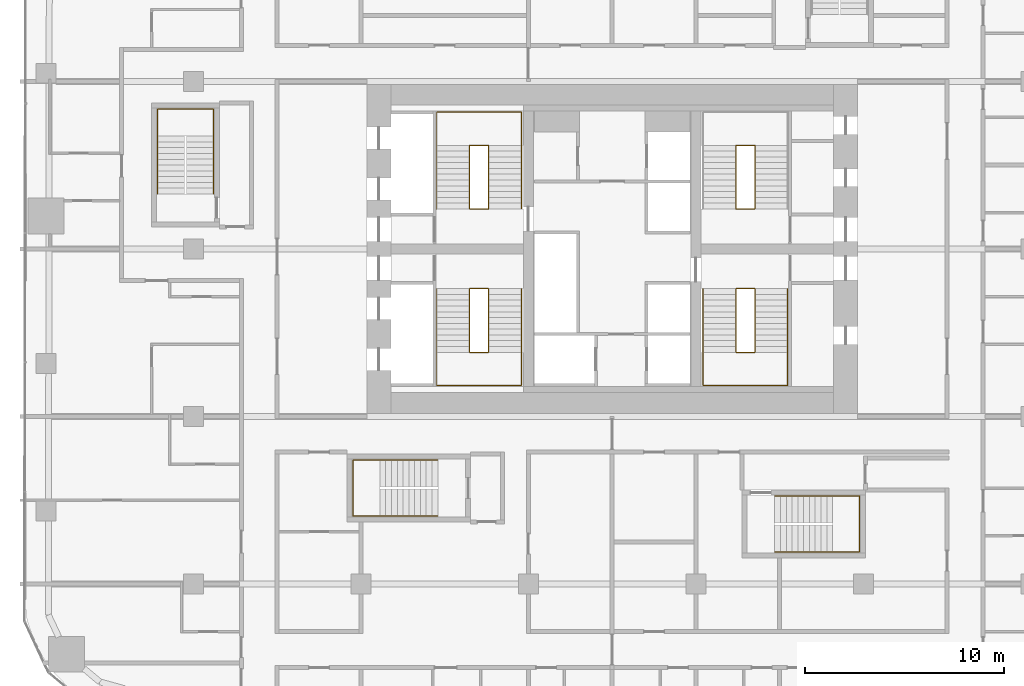
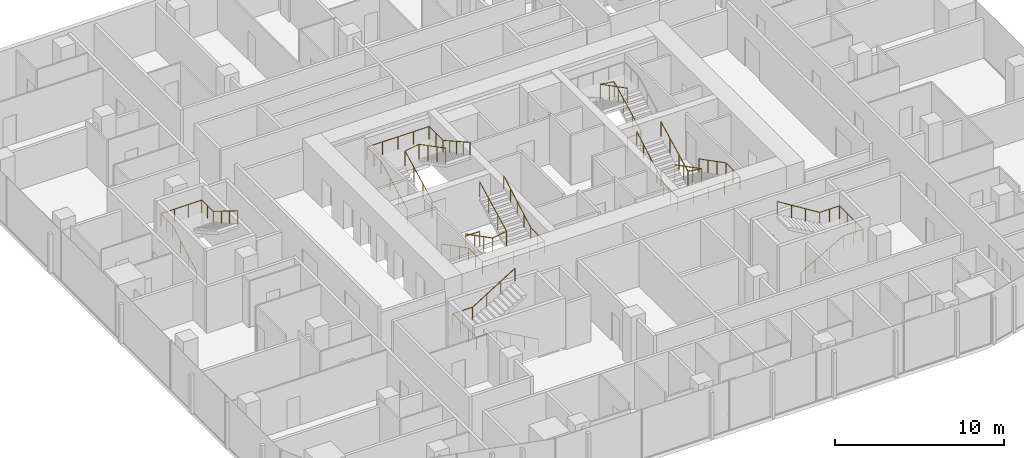
# One storey, part 25 of 26: 10 railings.
"""IFC4 building model written with IfcOpenShell, lengths in metres."""

from ifc_helpers import new_model, si_unit, direction, frame, origin, origin_2d, place, context, subcontext, project, spatial, circle, extrude, material, type_object, element, save


model = new_model("IFC4")

# Units and contexts
model_context = context("Model", 3, precision=1e-05, world=origin(), true_north=direction((0.0, 1.0)))
body_context = subcontext(model_context, "Body", "Model", "MODEL_VIEW")
ifc_project = project(units=[si_unit("LENGTHUNIT", "METRE"), si_unit("AREAUNIT", "SQUARE_METRE"), si_unit("VOLUMEUNIT", "CUBIC_METRE"), si_unit("PLANEANGLEUNIT", "RADIAN"), si_unit("MASSUNIT", "GRAM", prefix="KILO")], contexts=[model_context])

# Site, building, storey
site_placement = place(None, origin())
site = spatial("IfcSite", under=ifc_project, at=site_placement, CompositionType="ELEMENT")
building_placement = place(site_placement, origin())
building = spatial("IfcBuilding", under=site, at=building_placement, Name="Marenta Gate Hotel Tower", CompositionType="ELEMENT")
storey_placement = place(building_placement, frame((0.0, 0.0, 65.300048828125)))
storey = spatial("IfcBuildingStorey", under=building, at=storey_placement, Name="L14", CompositionType="ELEMENT", Elevation=65.300048828125)

# Railings
ifc_material_1 = material(Name="Stainless steel", Category="steel")
railing_type_1 = type_object("IfcRailingType", Name="Core stair handrail 950", PredefinedType="HANDRAIL", material=ifc_material_1)
railing_1_placement = place(storey_placement, frame((-8.800048828125, 6.39990234375, 0.14990234375)))
element("IfcRailing", 1, at=railing_1_placement, inside=storey, type_object=railing_type_1, Name="HR-950 L14-KR-ST1-1", PredefinedType="HANDRAIL", context=body_context, shape_type="SweptSolid", body=[
    extrude(circle(Radius=0.02392578125, at=origin_2d()), frame((0.0, 0.0, 0.92578125), z_axis=(0.0, -0.888197555067, 0.459461753765), x_axis=(1.0, 0.0, 0.0)), (0.0, 0.0, 1.0), 3.591552734375),
    extrude(circle(Radius=0.02392578125, at=origin_2d()), frame((0.0, -3.18994140625, 2.576171875), z_axis=(0.0, -1.0, 0.0), x_axis=(1.0, 0.0, 0.0)), (0.0, 0.0, 1.0), 1.659912109375),
    extrude(circle(Radius=0.02392578125, at=origin_2d()), frame((0.0, -4.849853515625, 2.576171875), z_axis=(1.0, 0.0, 0.0), x_axis=(0.0, 1.0, 0.0)), (0.0, 0.0, 1.0), 4.25),
    extrude(circle(Radius=0.02392578125, at=origin_2d()), frame((4.25, -4.849853515625, 2.576171875), z_axis=(0.0, 1.0, 0.0), x_axis=(-1.0, 0.0, 0.0)), (0.0, 0.0, 1.0), 1.659912109375),
    extrude(circle(Radius=0.02392578125, at=origin_2d()), frame((4.25, -3.18994140625, 2.576171875), z_axis=(0.0, 0.870937506535, 0.491393792911), x_axis=(-1.0, 0.0, 0.0)), (0.0, 0.0, 1.0), 3.66259765625),
    extrude(circle(Radius=0.02099609375, at=origin_2d()), origin(), (0.0, 0.0, 1.0), 0.90185546875),
    extrude(circle(Radius=0.02099609375, at=origin_2d()), frame((0.0, -1.063232421875, 0.550048828125)), (0.0, 0.0, 1.0), 0.90185546875),
    extrude(circle(Radius=0.02099609375, at=origin_2d()), frame((0.0, -2.126708984375, 1.10009765625)), (0.0, 0.0, 1.0), 0.90185546875),
    extrude(circle(Radius=0.02099609375, at=origin_2d()), frame((0.0, -3.18994140625, 1.650146484375)), (0.0, 0.0, 1.0), 0.90185546875),
    extrude(circle(Radius=0.02099609375, at=origin_2d()), frame((0.0, -4.02001953125, 1.650146484375)), (0.0, 0.0, 1.0), 0.90185546875),
    extrude(circle(Radius=0.02099609375, at=origin_2d()), frame((0.0, -4.849853515625, 1.650146484375)), (0.0, 0.0, 1.0), 0.90185546875),
    extrude(circle(Radius=0.02099609375, at=origin_2d()), frame((1.0625, -4.849853515625, 1.650146484375)), (0.0, 0.0, 1.0), 0.90185546875),
    extrude(circle(Radius=0.02099609375, at=origin_2d()), frame((2.125, -4.849853515625, 1.650146484375)), (0.0, 0.0, 1.0), 0.90185546875),
    extrude(circle(Radius=0.02099609375, at=origin_2d()), frame((3.1875, -4.849853515625, 1.650146484375)), (0.0, 0.0, 1.0), 0.90185546875),
    extrude(circle(Radius=0.02099609375, at=origin_2d()), frame((4.25, -4.849853515625, 1.650146484375)), (0.0, 0.0, 1.0), 0.90185546875),
    extrude(circle(Radius=0.02099609375, at=origin_2d()), frame((4.25, -4.02001953125, 1.650146484375)), (0.0, 0.0, 1.0), 0.90185546875),
    extrude(circle(Radius=0.02099609375, at=origin_2d()), frame((4.25, -3.18994140625, 1.650146484375)), (0.0, 0.0, 1.0), 0.90185546875),
    extrude(circle(Radius=0.02099609375, at=origin_2d()), frame((4.25, -2.392578125, 2.10009765625)), (0.0, 0.0, 1.0), 0.90185546875),
    extrude(circle(Radius=0.02099609375, at=origin_2d()), frame((4.25, -1.594970703125, 2.550048828125)), (0.0, 0.0, 1.0), 0.90185546875),
    extrude(circle(Radius=0.02099609375, at=origin_2d()), frame((4.25, -0.79736328125, 3.0)), (0.0, 0.0, 1.0), 0.90185546875),
    extrude(circle(Radius=0.02099609375, at=origin_2d()), frame((4.25, 0.0, 3.449951171875)), (0.0, 0.0, 1.0), 0.90185546875),
])
railing_2_placement = place(storey_placement, frame((-8.800048828125, 10.39990234375, 0.14990234375)))
element("IfcRailing", 2, at=railing_2_placement, inside=storey, type_object=railing_type_1, Name="HR-950 L14-KR-ST2-1", PredefinedType="HANDRAIL", context=body_context, shape_type="SweptSolid", body=[
    extrude(circle(Radius=0.02392578125, at=origin_2d()), frame((0.0, 0.0, 0.92578125), z_axis=(0.0, 0.888211904222, 0.459434013977), x_axis=(-1.0, 0.0, 0.0)), (0.0, 0.0, 1.0), 3.591796875),
    extrude(circle(Radius=0.02392578125, at=origin_2d()), frame((0.0, 3.190185546875, 2.576171875), z_axis=(0.0, 1.0, 0.0), x_axis=(-1.0, 0.0, 0.0)), (0.0, 0.0, 1.0), 1.659912109375),
    extrude(circle(Radius=0.02392578125, at=origin_2d()), frame((0.0, 4.85009765625, 2.576171875), z_axis=(1.0, 0.0, 0.0), x_axis=(0.0, 1.0, 0.0)), (0.0, 0.0, 1.0), 4.25),
    extrude(circle(Radius=0.02392578125, at=origin_2d()), frame((4.25, 4.85009765625, 2.576171875), z_axis=(0.0, -1.0, 0.0), x_axis=(1.0, 0.0, 0.0)), (0.0, 0.0, 1.0), 1.659912109375),
    extrude(circle(Radius=0.02392578125, at=origin_2d()), frame((4.25, 3.190185546875, 2.576171875), z_axis=(0.0, -0.870953600603, 0.491365266982), x_axis=(1.0, 0.0, 0.0)), (0.0, 0.0, 1.0), 3.662841796875),
    extrude(circle(Radius=0.02099609375, at=origin_2d()), origin(), (0.0, 0.0, 1.0), 0.90185546875),
    extrude(circle(Radius=0.02099609375, at=origin_2d()), frame((0.0, 1.0634765625, 0.550048828125)), (0.0, 0.0, 1.0), 0.90185546875),
    extrude(circle(Radius=0.02099609375, at=origin_2d()), frame((0.0, 2.126708984375, 1.10009765625)), (0.0, 0.0, 1.0), 0.90185546875),
    extrude(circle(Radius=0.02099609375, at=origin_2d()), frame((0.0, 3.190185546875, 1.650146484375)), (0.0, 0.0, 1.0), 0.90185546875),
    extrude(circle(Radius=0.02099609375, at=origin_2d()), frame((0.0, 4.02001953125, 1.650146484375)), (0.0, 0.0, 1.0), 0.90185546875),
    extrude(circle(Radius=0.02099609375, at=origin_2d()), frame((0.0, 4.85009765625, 1.650146484375)), (0.0, 0.0, 1.0), 0.90185546875),
    extrude(circle(Radius=0.02099609375, at=origin_2d()), frame((1.0625, 4.85009765625, 1.650146484375)), (0.0, 0.0, 1.0), 0.90185546875),
    extrude(circle(Radius=0.02099609375, at=origin_2d()), frame((2.125, 4.85009765625, 1.650146484375)), (0.0, 0.0, 1.0), 0.90185546875),
    extrude(circle(Radius=0.02099609375, at=origin_2d()), frame((3.1875, 4.85009765625, 1.650146484375)), (0.0, 0.0, 1.0), 0.90185546875),
    extrude(circle(Radius=0.02099609375, at=origin_2d()), frame((4.25, 4.85009765625, 1.650146484375)), (0.0, 0.0, 1.0), 0.90185546875),
    extrude(circle(Radius=0.02099609375, at=origin_2d()), frame((4.25, 4.02001953125, 1.650146484375)), (0.0, 0.0, 1.0), 0.90185546875),
    extrude(circle(Radius=0.02099609375, at=origin_2d()), frame((4.25, 3.190185546875, 1.650146484375)), (0.0, 0.0, 1.0), 0.90185546875),
    extrude(circle(Radius=0.02099609375, at=origin_2d()), frame((4.25, 2.392578125, 2.10009765625)), (0.0, 0.0, 1.0), 0.90185546875),
    extrude(circle(Radius=0.02099609375, at=origin_2d()), frame((4.25, 1.59521484375, 2.550048828125)), (0.0, 0.0, 1.0), 0.90185546875),
    extrude(circle(Radius=0.02099609375, at=origin_2d()), frame((4.25, 0.797607421875, 3.0)), (0.0, 0.0, 1.0), 0.90185546875),
    extrude(circle(Radius=0.02099609375, at=origin_2d()), frame((4.25, 0.0, 3.449951171875)), (0.0, 0.0, 1.0), 0.90185546875),
])
railing_3_placement = place(storey_placement, frame((8.800048828125, 6.39990234375, 0.14990234375)))
element("IfcRailing", 3, at=railing_3_placement, inside=storey, type_object=railing_type_1, Name="HR-950 L14-KR-ST3-1", PredefinedType="HANDRAIL", context=body_context, shape_type="SweptSolid", body=[
    extrude(circle(Radius=0.02392578125, at=origin_2d()), frame((0.0, 0.0, 0.92578125), z_axis=(0.0, -0.888197555067, 0.459461753765), x_axis=(1.0, 0.0, 0.0)), (0.0, 0.0, 1.0), 3.591552734375),
    extrude(circle(Radius=0.02392578125, at=origin_2d()), frame((0.0, -3.18994140625, 2.576171875), z_axis=(0.0, -1.0, 0.0), x_axis=(1.0, 0.0, 0.0)), (0.0, 0.0, 1.0), 1.659912109375),
    extrude(circle(Radius=0.02392578125, at=origin_2d()), frame((0.0, -4.849853515625, 2.576171875), z_axis=(-1.0, 0.0, 0.0), x_axis=(0.0, -1.0, 0.0)), (0.0, 0.0, 1.0), 4.25),
    extrude(circle(Radius=0.02392578125, at=origin_2d()), frame((-4.25, -4.849853515625, 2.576171875), z_axis=(0.0, 1.0, 0.0), x_axis=(-1.0, 0.0, 0.0)), (0.0, 0.0, 1.0), 1.659912109375),
    extrude(circle(Radius=0.02392578125, at=origin_2d()), frame((-4.25, -3.18994140625, 2.576171875), z_axis=(0.0, 0.870937506535, 0.491393792911), x_axis=(-1.0, 0.0, 0.0)), (0.0, 0.0, 1.0), 3.66259765625),
    extrude(circle(Radius=0.02099609375, at=origin_2d()), origin(), (0.0, 0.0, 1.0), 0.90185546875),
    extrude(circle(Radius=0.02099609375, at=origin_2d()), frame((0.0, -1.063232421875, 0.550048828125)), (0.0, 0.0, 1.0), 0.90185546875),
    extrude(circle(Radius=0.02099609375, at=origin_2d()), frame((0.0, -2.126708984375, 1.10009765625)), (0.0, 0.0, 1.0), 0.90185546875),
    extrude(circle(Radius=0.02099609375, at=origin_2d()), frame((0.0, -3.18994140625, 1.650146484375)), (0.0, 0.0, 1.0), 0.90185546875),
    extrude(circle(Radius=0.02099609375, at=origin_2d()), frame((0.0, -4.02001953125, 1.650146484375)), (0.0, 0.0, 1.0), 0.90185546875),
    extrude(circle(Radius=0.02099609375, at=origin_2d()), frame((0.0, -4.849853515625, 1.650146484375)), (0.0, 0.0, 1.0), 0.90185546875),
    extrude(circle(Radius=0.02099609375, at=origin_2d()), frame((-1.0625, -4.849853515625, 1.650146484375)), (0.0, 0.0, 1.0), 0.90185546875),
    extrude(circle(Radius=0.02099609375, at=origin_2d()), frame((-2.125, -4.849853515625, 1.650146484375)), (0.0, 0.0, 1.0), 0.90185546875),
    extrude(circle(Radius=0.02099609375, at=origin_2d()), frame((-3.1875, -4.849853515625, 1.650146484375)), (0.0, 0.0, 1.0), 0.90185546875),
    extrude(circle(Radius=0.02099609375, at=origin_2d()), frame((-4.25, -4.849853515625, 1.650146484375)), (0.0, 0.0, 1.0), 0.90185546875),
    extrude(circle(Radius=0.02099609375, at=origin_2d()), frame((-4.25, -4.02001953125, 1.650146484375)), (0.0, 0.0, 1.0), 0.90185546875),
    extrude(circle(Radius=0.02099609375, at=origin_2d()), frame((-4.25, -3.18994140625, 1.650146484375)), (0.0, 0.0, 1.0), 0.90185546875),
    extrude(circle(Radius=0.02099609375, at=origin_2d()), frame((-4.25, -2.392578125, 2.10009765625)), (0.0, 0.0, 1.0), 0.90185546875),
    extrude(circle(Radius=0.02099609375, at=origin_2d()), frame((-4.25, -1.594970703125, 2.550048828125)), (0.0, 0.0, 1.0), 0.90185546875),
    extrude(circle(Radius=0.02099609375, at=origin_2d()), frame((-4.25, -0.79736328125, 3.0)), (0.0, 0.0, 1.0), 0.90185546875),
    extrude(circle(Radius=0.02099609375, at=origin_2d()), frame((-4.25, 0.0, 3.449951171875)), (0.0, 0.0, 1.0), 0.90185546875),
])
railing_4_placement = place(storey_placement, frame((8.14990234375, -6.800048828125, 0.16357421875)))
element("IfcRailing", 4, at=railing_4_placement, inside=storey, type_object=railing_type_1, Name="HR-950 L14-RS-Z1-1-KR-1", PredefinedType="HANDRAIL", context=body_context, shape_type="SweptSolid", body=[
    extrude(circle(Radius=0.02392578125, at=origin_2d()), frame((0.0, 0.0, 0.92578125), z_axis=(0.870914908162, 0.0, 0.491433843708), x_axis=(0.0, 1.0, 0.0)), (0.0, 0.0, 1.0), 3.330078125),
    extrude(circle(Radius=0.02392578125, at=origin_2d()), frame((2.900146484375, 0.0, 2.5625), z_axis=(1.0, 0.0, 0.0), x_axis=(0.0, 1.0, 0.0)), (0.0, 0.0, 1.0), 1.349853515625),
    extrude(circle(Radius=0.02392578125, at=origin_2d()), frame((4.25, 0.0, 2.5625), z_axis=(0.0, 1.0, 0.0), x_axis=(-1.0, 0.0, 0.0)), (0.0, 0.0, 1.0), 2.800048828125),
    extrude(circle(Radius=0.02392578125, at=origin_2d()), frame((4.25, 2.800048828125, 2.5625), z_axis=(-1.0, 0.0, 0.0), x_axis=(0.0, -1.0, 0.0)), (0.0, 0.0, 1.0), 1.349853515625),
    extrude(circle(Radius=0.02392578125, at=origin_2d()), frame((2.900146484375, 2.800048828125, 2.5625), z_axis=(-0.849677739116, 0.0, 0.527302322819), x_axis=(0.0, -1.0, 0.0)), (0.0, 0.0, 1.0), 3.413330078125),
    extrude(circle(Radius=0.02099609375, at=origin_2d()), origin(), (0.0, 0.0, 1.0), 0.90185546875),
    extrude(circle(Radius=0.02099609375, at=origin_2d()), frame((0.966796875, 0.0, 0.54541015625)), (0.0, 0.0, 1.0), 0.90185546875),
    extrude(circle(Radius=0.02099609375, at=origin_2d()), frame((1.933349609375, 0.0, 1.091064453125)), (0.0, 0.0, 1.0), 0.90185546875),
    extrude(circle(Radius=0.02099609375, at=origin_2d()), frame((2.900146484375, 0.0, 1.636474609375)), (0.0, 0.0, 1.0), 0.90185546875),
    extrude(circle(Radius=0.02099609375, at=origin_2d()), frame((3.5751953125, 0.0, 1.636474609375)), (0.0, 0.0, 1.0), 0.90185546875),
    extrude(circle(Radius=0.02099609375, at=origin_2d()), frame((4.25, 0.0, 1.636474609375)), (0.0, 0.0, 1.0), 0.90185546875),
    extrude(circle(Radius=0.02099609375, at=origin_2d()), frame((4.25, 0.933349609375, 1.636474609375)), (0.0, 0.0, 1.0), 0.90185546875),
    extrude(circle(Radius=0.02099609375, at=origin_2d()), frame((4.25, 1.86669921875, 1.636474609375)), (0.0, 0.0, 1.0), 0.90185546875),
    extrude(circle(Radius=0.02099609375, at=origin_2d()), frame((4.25, 2.800048828125, 1.636474609375)), (0.0, 0.0, 1.0), 0.90185546875),
    extrude(circle(Radius=0.02099609375, at=origin_2d()), frame((3.5751953125, 2.800048828125, 1.636474609375)), (0.0, 0.0, 1.0), 0.90185546875),
    extrude(circle(Radius=0.02099609375, at=origin_2d()), frame((2.900146484375, 2.800048828125, 1.636474609375)), (0.0, 0.0, 1.0), 0.90185546875),
    extrude(circle(Radius=0.02099609375, at=origin_2d()), frame((1.933349609375, 2.800048828125, 2.236328125)), (0.0, 0.0, 1.0), 0.90185546875),
    extrude(circle(Radius=0.02099609375, at=origin_2d()), frame((0.966796875, 2.800048828125, 2.83642578125)), (0.0, 0.0, 1.0), 0.90185546875),
    extrude(circle(Radius=0.02099609375, at=origin_2d()), frame((0.0, 2.800048828125, 3.436279296875)), (0.0, 0.0, 1.0), 0.90185546875),
])
railing_5_placement = place(storey_placement, frame((-8.75, -5.0, 0.16357421875)))
element("IfcRailing", 5, at=railing_5_placement, inside=storey, type_object=railing_type_1, Name="HR-950 L14-RS-Z1-2-KR-1", PredefinedType="HANDRAIL", context=body_context, shape_type="SweptSolid", body=[
    extrude(circle(Radius=0.02392578125, at=origin_2d()), frame((0.0, 0.0, 0.92578125), z_axis=(-0.870897200241, 0.0, 0.491465224214), x_axis=(0.0, -1.0, 0.0)), (0.0, 0.0, 1.0), 3.329833984375),
    extrude(circle(Radius=0.02392578125, at=origin_2d()), frame((-2.89990234375, 0.0, 2.5625), z_axis=(-1.0, 0.0, 0.0), x_axis=(0.0, -1.0, 0.0)), (0.0, 0.0, 1.0), 1.35009765625),
    extrude(circle(Radius=0.02392578125, at=origin_2d()), frame((-4.25, 0.0, 2.5625), z_axis=(0.0, 1.0, 0.0), x_axis=(-1.0, 0.0, 0.0)), (0.0, 0.0, 1.0), 2.800048828125),
    extrude(circle(Radius=0.02392578125, at=origin_2d()), frame((-4.25, 2.800048828125, 2.5625), z_axis=(1.0, 0.0, 0.0), x_axis=(0.0, 1.0, 0.0)), (0.0, 0.0, 1.0), 1.35009765625),
    extrude(circle(Radius=0.02392578125, at=origin_2d()), frame((-2.89990234375, 2.800048828125, 2.5625), z_axis=(0.849657849183, 0.0, 0.527334371458), x_axis=(0.0, 1.0, 0.0)), (0.0, 0.0, 1.0), 3.4130859375),
    extrude(circle(Radius=0.02099609375, at=origin_2d()), origin(), (0.0, 0.0, 1.0), 0.90185546875),
    extrude(circle(Radius=0.02099609375, at=origin_2d()), frame((-0.966552734375, 0.0, 0.54541015625)), (0.0, 0.0, 1.0), 0.90185546875),
    extrude(circle(Radius=0.02099609375, at=origin_2d()), frame((-1.933349609375, 0.0, 1.091064453125)), (0.0, 0.0, 1.0), 0.90185546875),
    extrude(circle(Radius=0.02099609375, at=origin_2d()), frame((-2.89990234375, 0.0, 1.636474609375)), (0.0, 0.0, 1.0), 0.90185546875),
    extrude(circle(Radius=0.02099609375, at=origin_2d()), frame((-3.574951171875, 0.0, 1.636474609375)), (0.0, 0.0, 1.0), 0.90185546875),
    extrude(circle(Radius=0.02099609375, at=origin_2d()), frame((-4.25, 0.0, 1.636474609375)), (0.0, 0.0, 1.0), 0.90185546875),
    extrude(circle(Radius=0.02099609375, at=origin_2d()), frame((-4.25, 0.933349609375, 1.636474609375)), (0.0, 0.0, 1.0), 0.90185546875),
    extrude(circle(Radius=0.02099609375, at=origin_2d()), frame((-4.25, 1.86669921875, 1.636474609375)), (0.0, 0.0, 1.0), 0.90185546875),
    extrude(circle(Radius=0.02099609375, at=origin_2d()), frame((-4.25, 2.800048828125, 1.636474609375)), (0.0, 0.0, 1.0), 0.90185546875),
    extrude(circle(Radius=0.02099609375, at=origin_2d()), frame((-3.574951171875, 2.800048828125, 1.636474609375)), (0.0, 0.0, 1.0), 0.90185546875),
    extrude(circle(Radius=0.02099609375, at=origin_2d()), frame((-2.89990234375, 2.800048828125, 1.636474609375)), (0.0, 0.0, 1.0), 0.90185546875),
    extrude(circle(Radius=0.02099609375, at=origin_2d()), frame((-1.933349609375, 2.800048828125, 2.236328125)), (0.0, 0.0, 1.0), 0.90185546875),
    extrude(circle(Radius=0.02099609375, at=origin_2d()), frame((-0.966552734375, 2.800048828125, 2.83642578125)), (0.0, 0.0, 1.0), 0.90185546875),
    extrude(circle(Radius=0.02099609375, at=origin_2d()), frame((0.0, 2.800048828125, 3.436279296875)), (0.0, 0.0, 1.0), 0.90185546875),
])
railing_6_placement = place(storey_placement, frame((-22.800048828125, 11.14990234375, 0.16357421875)))
element("IfcRailing", 6, at=railing_6_placement, inside=storey, type_object=railing_type_1, Name="HR-950 L14-RS-Z1-3-KR-1", PredefinedType="HANDRAIL", context=body_context, shape_type="SweptSolid", body=[
    extrude(circle(Radius=0.02392578125, at=origin_2d()), frame((0.0, 0.0, 0.92578125), z_axis=(0.0, 0.870914908162, 0.491433843708), x_axis=(-1.0, 0.0, 0.0)), (0.0, 0.0, 1.0), 3.330078125),
    extrude(circle(Radius=0.02392578125, at=origin_2d()), frame((0.0, 2.900146484375, 2.5625), z_axis=(0.0, 1.0, 0.0), x_axis=(-1.0, 0.0, 0.0)), (0.0, 0.0, 1.0), 1.349853515625),
    extrude(circle(Radius=0.02392578125, at=origin_2d()), frame((0.0, 4.25, 2.5625), z_axis=(1.0, 0.0, 0.0), x_axis=(0.0, 1.0, 0.0)), (0.0, 0.0, 1.0), 2.800048828125),
    extrude(circle(Radius=0.02392578125, at=origin_2d()), frame((2.800048828125, 4.25, 2.5625), z_axis=(0.0, -1.0, 0.0), x_axis=(1.0, 0.0, 0.0)), (0.0, 0.0, 1.0), 1.349853515625),
    extrude(circle(Radius=0.02392578125, at=origin_2d()), frame((2.800048828125, 2.900146484375, 2.5625), z_axis=(0.0, -0.849677739116, 0.527302322819), x_axis=(1.0, 0.0, 0.0)), (0.0, 0.0, 1.0), 3.413330078125),
    extrude(circle(Radius=0.02099609375, at=origin_2d()), origin(), (0.0, 0.0, 1.0), 0.90185546875),
    extrude(circle(Radius=0.02099609375, at=origin_2d()), frame((0.0, 0.966796875, 0.54541015625)), (0.0, 0.0, 1.0), 0.90185546875),
    extrude(circle(Radius=0.02099609375, at=origin_2d()), frame((0.0, 1.933349609375, 1.091064453125)), (0.0, 0.0, 1.0), 0.90185546875),
    extrude(circle(Radius=0.02099609375, at=origin_2d()), frame((0.0, 2.900146484375, 1.636474609375)), (0.0, 0.0, 1.0), 0.90185546875),
    extrude(circle(Radius=0.02099609375, at=origin_2d()), frame((0.0, 3.5751953125, 1.636474609375)), (0.0, 0.0, 1.0), 0.90185546875),
    extrude(circle(Radius=0.02099609375, at=origin_2d()), frame((0.0, 4.25, 1.636474609375)), (0.0, 0.0, 1.0), 0.90185546875),
    extrude(circle(Radius=0.02099609375, at=origin_2d()), frame((0.933349609375, 4.25, 1.636474609375)), (0.0, 0.0, 1.0), 0.90185546875),
    extrude(circle(Radius=0.02099609375, at=origin_2d()), frame((1.86669921875, 4.25, 1.636474609375)), (0.0, 0.0, 1.0), 0.90185546875),
    extrude(circle(Radius=0.02099609375, at=origin_2d()), frame((2.800048828125, 4.25, 1.636474609375)), (0.0, 0.0, 1.0), 0.90185546875),
    extrude(circle(Radius=0.02099609375, at=origin_2d()), frame((2.800048828125, 3.5751953125, 1.636474609375)), (0.0, 0.0, 1.0), 0.90185546875),
    extrude(circle(Radius=0.02099609375, at=origin_2d()), frame((2.800048828125, 2.900146484375, 1.636474609375)), (0.0, 0.0, 1.0), 0.90185546875),
    extrude(circle(Radius=0.02099609375, at=origin_2d()), frame((2.800048828125, 1.933349609375, 2.236328125)), (0.0, 0.0, 1.0), 0.90185546875),
    extrude(circle(Radius=0.02099609375, at=origin_2d()), frame((2.800048828125, 0.966796875, 2.83642578125)), (0.0, 0.0, 1.0), 0.90185546875),
    extrude(circle(Radius=0.02099609375, at=origin_2d()), frame((2.800048828125, 0.0, 3.436279296875)), (0.0, 0.0, 1.0), 0.90185546875),
])
ifc_material_2 = material(Name="Stainless steel", Category="steel")
railing_type_2 = type_object("IfcRailingType", Name="Core stair well guard 1100", PredefinedType="GUARDRAIL", material=ifc_material_2)
railing_7_placement = place(storey_placement, frame((-6.199951171875, 6.39990234375, 0.0)))
element("IfcRailing", 7, at=railing_7_placement, inside=storey, type_object=railing_type_2, Name="GR-1100 L14-KR-ST1-2", PredefinedType="GUARDRAIL", context=body_context, shape_type="SweptSolid", body=[
    extrude(circle(Radius=0.02392578125, at=origin_2d()), frame((0.0, 0.0, 1.076171875), z_axis=(-1.0, 0.0, 0.0), x_axis=(0.0, -1.0, 0.0)), (0.0, 0.0, 1.0), 0.949951171875),
    extrude(circle(Radius=0.02392578125, at=origin_2d()), frame((-0.949951171875, 0.0, 1.076171875), z_axis=(0.0, 0.0, 1.0), x_axis=(1.0, 0.0, 0.0)), (0.0, 0.0, 1.0), 0.14990234375),
    extrude(circle(Radius=0.02392578125, at=origin_2d()), frame((-0.949951171875, 0.0, 1.22607421875), z_axis=(0.0, -0.888197555067, 0.459461753765), x_axis=(1.0, 0.0, 0.0)), (0.0, 0.0, 1.0), 3.591552734375),
    extrude(circle(Radius=0.02392578125, at=origin_2d()), frame((-0.949951171875, -3.18994140625, 2.8759765625), z_axis=(0.987777369502, 0.0, 0.15587131968), x_axis=(0.0, 1.0, 0.0)), (0.0, 0.0, 1.0), 0.961669921875),
    extrude(circle(Radius=0.02392578125, at=origin_2d()), frame((0.0, -3.18994140625, 3.02587890625), z_axis=(0.0, 0.888225295554, 0.459408123936), x_axis=(-1.0, 0.0, 0.0)), (0.0, 0.0, 1.0), 3.59130859375),
    extrude(circle(Radius=0.02099609375, at=origin_2d()), origin(), (0.0, 0.0, 1.0), 1.052001953125),
    extrude(circle(Radius=0.02099609375, at=origin_2d()), frame((-0.949951171875, 0.0, 0.0)), (0.0, 0.0, 1.0), 1.052001953125),
    extrude(circle(Radius=0.02099609375, at=origin_2d()), frame((-0.949951171875, 0.0, 0.14990234375)), (0.0, 0.0, 1.0), 1.052001953125),
    extrude(circle(Radius=0.02099609375, at=origin_2d()), frame((-0.949951171875, -1.063232421875, 0.699951171875)), (0.0, 0.0, 1.0), 1.052001953125),
    extrude(circle(Radius=0.02099609375, at=origin_2d()), frame((-0.949951171875, -2.126708984375, 1.25)), (0.0, 0.0, 1.0), 1.052001953125),
    extrude(circle(Radius=0.02099609375, at=origin_2d()), frame((-0.949951171875, -3.18994140625, 1.800048828125)), (0.0, 0.0, 1.0), 1.052001953125),
    extrude(circle(Radius=0.02099609375, at=origin_2d()), frame((0.0, -3.18994140625, 1.949951171875)), (0.0, 0.0, 1.0), 1.052001953125),
    extrude(circle(Radius=0.02099609375, at=origin_2d()), frame((0.0, -2.126708984375, 2.5)), (0.0, 0.0, 1.0), 1.052001953125),
    extrude(circle(Radius=0.02099609375, at=origin_2d()), frame((0.0, -1.063232421875, 3.0498046875)), (0.0, 0.0, 1.0), 1.052001953125),
    extrude(circle(Radius=0.02099609375, at=origin_2d()), frame((0.0, 0.0, 3.599853515625)), (0.0, 0.0, 1.0), 1.052001953125),
])
railing_8_placement = place(storey_placement, frame((-6.199951171875, 10.39990234375, 0.0)))
element("IfcRailing", 8, at=railing_8_placement, inside=storey, type_object=railing_type_2, Name="GR-1100 L14-KR-ST2-2", PredefinedType="GUARDRAIL", context=body_context, shape_type="SweptSolid", body=[
    extrude(circle(Radius=0.02392578125, at=origin_2d()), frame((0.0, 0.0, 1.076171875), z_axis=(-1.0, 0.0, 0.0), x_axis=(0.0, -1.0, 0.0)), (0.0, 0.0, 1.0), 0.949951171875),
    extrude(circle(Radius=0.02392578125, at=origin_2d()), frame((-0.949951171875, 0.0, 1.076171875), z_axis=(0.0, 0.0, 1.0), x_axis=(1.0, 0.0, 0.0)), (0.0, 0.0, 1.0), 0.14990234375),
    extrude(circle(Radius=0.02392578125, at=origin_2d()), frame((-0.949951171875, 0.0, 1.22607421875), z_axis=(0.0, 0.888211904222, 0.459434013977), x_axis=(-1.0, 0.0, 0.0)), (0.0, 0.0, 1.0), 3.591796875),
    extrude(circle(Radius=0.02392578125, at=origin_2d()), frame((-0.949951171875, 3.190185546875, 2.8759765625), z_axis=(0.987777369502, 0.0, 0.15587131968), x_axis=(0.0, 1.0, 0.0)), (0.0, 0.0, 1.0), 0.961669921875),
    extrude(circle(Radius=0.02392578125, at=origin_2d()), frame((0.0, 3.190185546875, 3.02587890625), z_axis=(0.0, -0.888239641807, 0.459380385653), x_axis=(1.0, 0.0, 0.0)), (0.0, 0.0, 1.0), 3.591552734375),
    extrude(circle(Radius=0.02099609375, at=origin_2d()), origin(), (0.0, 0.0, 1.0), 1.052001953125),
    extrude(circle(Radius=0.02099609375, at=origin_2d()), frame((-0.949951171875, 0.0, 0.0)), (0.0, 0.0, 1.0), 1.052001953125),
    extrude(circle(Radius=0.02099609375, at=origin_2d()), frame((-0.949951171875, 0.0, 0.14990234375)), (0.0, 0.0, 1.0), 1.052001953125),
    extrude(circle(Radius=0.02099609375, at=origin_2d()), frame((-0.949951171875, 1.0634765625, 0.699951171875)), (0.0, 0.0, 1.0), 1.052001953125),
    extrude(circle(Radius=0.02099609375, at=origin_2d()), frame((-0.949951171875, 2.126708984375, 1.25)), (0.0, 0.0, 1.0), 1.052001953125),
    extrude(circle(Radius=0.02099609375, at=origin_2d()), frame((-0.949951171875, 3.190185546875, 1.800048828125)), (0.0, 0.0, 1.0), 1.052001953125),
    extrude(circle(Radius=0.02099609375, at=origin_2d()), frame((0.0, 3.190185546875, 1.949951171875)), (0.0, 0.0, 1.0), 1.052001953125),
    extrude(circle(Radius=0.02099609375, at=origin_2d()), frame((0.0, 2.126708984375, 2.5)), (0.0, 0.0, 1.0), 1.052001953125),
    extrude(circle(Radius=0.02099609375, at=origin_2d()), frame((0.0, 1.0634765625, 3.0498046875)), (0.0, 0.0, 1.0), 1.052001953125),
    extrude(circle(Radius=0.02099609375, at=origin_2d()), frame((0.0, 0.0, 3.599853515625)), (0.0, 0.0, 1.0), 1.052001953125),
])
railing_9_placement = place(storey_placement, frame((6.199951171875, 6.39990234375, 0.0)))
element("IfcRailing", 9, at=railing_9_placement, inside=storey, type_object=railing_type_2, Name="GR-1100 L14-KR-ST3-2", PredefinedType="GUARDRAIL", context=body_context, shape_type="SweptSolid", body=[
    extrude(circle(Radius=0.02392578125, at=origin_2d()), frame((0.0, 0.0, 1.076171875), z_axis=(1.0, 0.0, 0.0), x_axis=(0.0, 1.0, 0.0)), (0.0, 0.0, 1.0), 0.949951171875),
    extrude(circle(Radius=0.02392578125, at=origin_2d()), frame((0.949951171875, 0.0, 1.076171875), z_axis=(0.0, 0.0, 1.0), x_axis=(1.0, 0.0, 0.0)), (0.0, 0.0, 1.0), 0.14990234375),
    extrude(circle(Radius=0.02392578125, at=origin_2d()), frame((0.949951171875, 0.0, 1.22607421875), z_axis=(0.0, -0.888197555067, 0.459461753765), x_axis=(1.0, 0.0, 0.0)), (0.0, 0.0, 1.0), 3.591552734375),
    extrude(circle(Radius=0.02392578125, at=origin_2d()), frame((0.949951171875, -3.18994140625, 2.8759765625), z_axis=(-0.987777369502, 0.0, 0.15587131968), x_axis=(0.0, -1.0, 0.0)), (0.0, 0.0, 1.0), 0.961669921875),
    extrude(circle(Radius=0.02392578125, at=origin_2d()), frame((0.0, -3.18994140625, 3.02587890625), z_axis=(0.0, 0.888225295554, 0.459408123936), x_axis=(-1.0, 0.0, 0.0)), (0.0, 0.0, 1.0), 3.59130859375),
    extrude(circle(Radius=0.02099609375, at=origin_2d()), origin(), (0.0, 0.0, 1.0), 1.052001953125),
    extrude(circle(Radius=0.02099609375, at=origin_2d()), frame((0.949951171875, 0.0, 0.0)), (0.0, 0.0, 1.0), 1.052001953125),
    extrude(circle(Radius=0.02099609375, at=origin_2d()), frame((0.949951171875, 0.0, 0.14990234375)), (0.0, 0.0, 1.0), 1.052001953125),
    extrude(circle(Radius=0.02099609375, at=origin_2d()), frame((0.949951171875, -1.063232421875, 0.699951171875)), (0.0, 0.0, 1.0), 1.052001953125),
    extrude(circle(Radius=0.02099609375, at=origin_2d()), frame((0.949951171875, -2.126708984375, 1.25)), (0.0, 0.0, 1.0), 1.052001953125),
    extrude(circle(Radius=0.02099609375, at=origin_2d()), frame((0.949951171875, -3.18994140625, 1.800048828125)), (0.0, 0.0, 1.0), 1.052001953125),
    extrude(circle(Radius=0.02099609375, at=origin_2d()), frame((0.0, -3.18994140625, 1.949951171875)), (0.0, 0.0, 1.0), 1.052001953125),
    extrude(circle(Radius=0.02099609375, at=origin_2d()), frame((0.0, -2.126708984375, 2.5)), (0.0, 0.0, 1.0), 1.052001953125),
    extrude(circle(Radius=0.02099609375, at=origin_2d()), frame((0.0, -1.063232421875, 3.0498046875)), (0.0, 0.0, 1.0), 1.052001953125),
    extrude(circle(Radius=0.02099609375, at=origin_2d()), frame((0.0, 0.0, 3.599853515625)), (0.0, 0.0, 1.0), 1.052001953125),
])
railing_10_placement = place(storey_placement, frame((6.199951171875, 10.39990234375, 0.0)))
element("IfcRailing", 10, at=railing_10_placement, inside=storey, type_object=railing_type_2, Name="GR-1100 L14-KR-ST4-2", PredefinedType="GUARDRAIL", context=body_context, shape_type="SweptSolid", body=[
    extrude(circle(Radius=0.02392578125, at=origin_2d()), frame((0.0, 0.0, 1.076171875), z_axis=(1.0, 0.0, 0.0), x_axis=(0.0, 1.0, 0.0)), (0.0, 0.0, 1.0), 0.949951171875),
    extrude(circle(Radius=0.02392578125, at=origin_2d()), frame((0.949951171875, 0.0, 1.076171875), z_axis=(0.0, 0.0, 1.0), x_axis=(1.0, 0.0, 0.0)), (0.0, 0.0, 1.0), 0.14990234375),
    extrude(circle(Radius=0.02392578125, at=origin_2d()), frame((0.949951171875, 0.0, 1.22607421875), z_axis=(0.0, 0.888211904222, 0.459434013977), x_axis=(-1.0, 0.0, 0.0)), (0.0, 0.0, 1.0), 3.591796875),
    extrude(circle(Radius=0.02392578125, at=origin_2d()), frame((0.949951171875, 3.190185546875, 2.8759765625), z_axis=(-0.987777369502, 0.0, 0.15587131968), x_axis=(0.0, -1.0, 0.0)), (0.0, 0.0, 1.0), 0.961669921875),
    extrude(circle(Radius=0.02392578125, at=origin_2d()), frame((0.0, 3.190185546875, 3.02587890625), z_axis=(0.0, -0.888239641807, 0.459380385653), x_axis=(1.0, 0.0, 0.0)), (0.0, 0.0, 1.0), 3.591552734375),
    extrude(circle(Radius=0.02099609375, at=origin_2d()), origin(), (0.0, 0.0, 1.0), 1.052001953125),
    extrude(circle(Radius=0.02099609375, at=origin_2d()), frame((0.949951171875, 0.0, 0.0)), (0.0, 0.0, 1.0), 1.052001953125),
    extrude(circle(Radius=0.02099609375, at=origin_2d()), frame((0.949951171875, 0.0, 0.14990234375)), (0.0, 0.0, 1.0), 1.052001953125),
    extrude(circle(Radius=0.02099609375, at=origin_2d()), frame((0.949951171875, 1.0634765625, 0.699951171875)), (0.0, 0.0, 1.0), 1.052001953125),
    extrude(circle(Radius=0.02099609375, at=origin_2d()), frame((0.949951171875, 2.126708984375, 1.25)), (0.0, 0.0, 1.0), 1.052001953125),
    extrude(circle(Radius=0.02099609375, at=origin_2d()), frame((0.949951171875, 3.190185546875, 1.800048828125)), (0.0, 0.0, 1.0), 1.052001953125),
    extrude(circle(Radius=0.02099609375, at=origin_2d()), frame((0.0, 3.190185546875, 1.949951171875)), (0.0, 0.0, 1.0), 1.052001953125),
    extrude(circle(Radius=0.02099609375, at=origin_2d()), frame((0.0, 2.126708984375, 2.5)), (0.0, 0.0, 1.0), 1.052001953125),
    extrude(circle(Radius=0.02099609375, at=origin_2d()), frame((0.0, 1.0634765625, 3.0498046875)), (0.0, 0.0, 1.0), 1.052001953125),
    extrude(circle(Radius=0.02099609375, at=origin_2d()), frame((0.0, 0.0, 3.599853515625)), (0.0, 0.0, 1.0), 1.052001953125),
])

save(model, "model.ifc")
